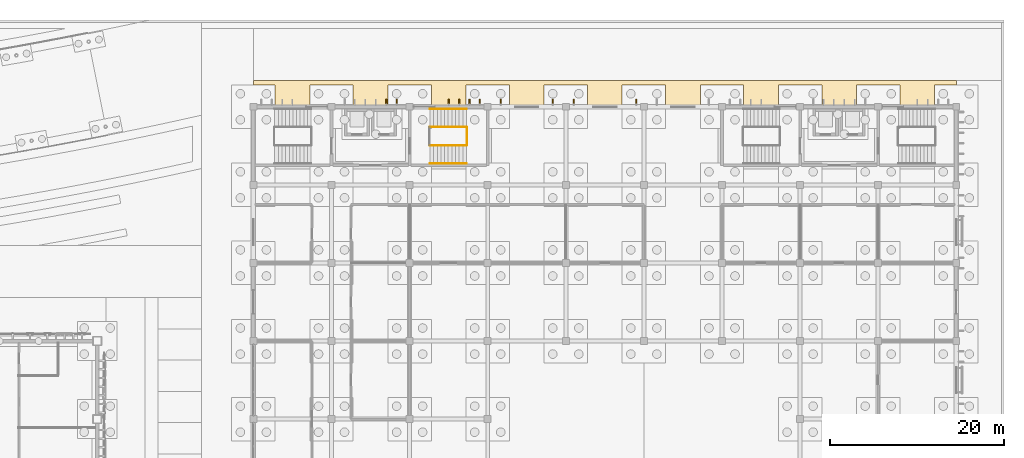
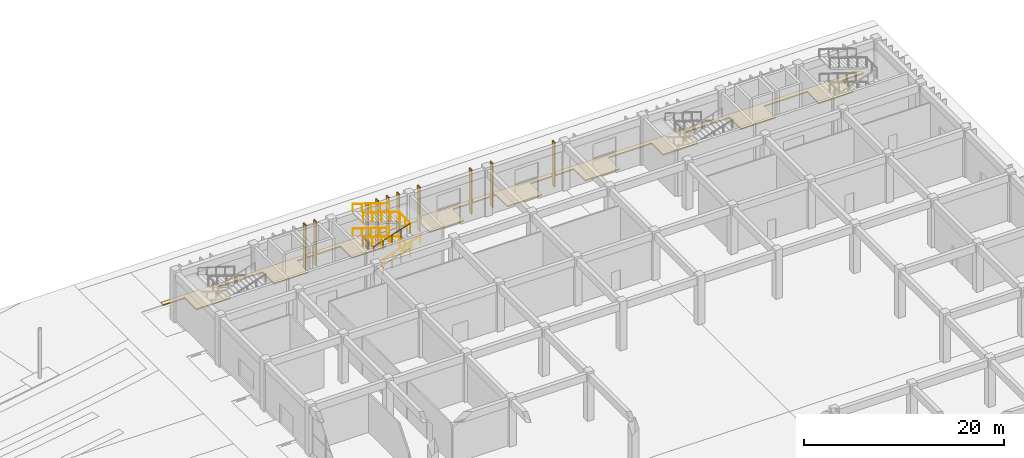
# One storey, part 193 of 198: 11 coverings, 9 railings.
"""IFC4 building model written with IfcOpenShell, lengths in metres."""

import ifcopenshell
import ifcopenshell.guid

model = None  # the IFC model being written
_history = None  # IfcOwnerHistory: only IFC2X3 demands one
_inside = {}  # id of a spatial element -> (the spatial element, [elements in it])
_under = {}  # id of a project, library or spatial element -> (it, [spatial elements below it])
_declared = {}  # id of a project -> (the project, [libraries it declares])
_typed = {}  # id of a type object -> (the type object, [elements of that type])
_made_of = {}  # id of a material, layer set ... -> (it, [elements and type objects made of it])


def new_model(schema):
    """Start an empty IFC model of exactly this schema.

    Asked for "IFC4X3", IfcOpenShell would pick the latest addendum, in which some entities
    have other attributes; the version numbers below select the first issue.
    IFC2X3 requires an IfcOwnerHistory on every rooted entity: one is made here for all.
    """
    global model, _history
    if schema == "IFC4X3":
        model = ifcopenshell.file(schema_version=(4, 3, 0, 0))
    else:
        model = ifcopenshell.file(schema=schema)
    _inside.clear()
    _under.clear()
    _declared.clear()
    _typed.clear()
    _made_of.clear()
    _history = None
    if model.schema == "IFC2X3":
        org = make("IfcOrganization", Name="unknown")
        user = make(
            "IfcPersonAndOrganization",
            ThePerson=make("IfcPerson", FamilyName="unknown"),
            TheOrganization=org,
        )
        app = make(
            "IfcApplication",
            ApplicationDeveloper=org,
            Version="unknown",
            ApplicationFullName="unknown",
            ApplicationIdentifier="unknown",
        )
        _history = make(
            "IfcOwnerHistory",
            OwningUser=user,
            OwningApplication=app,
            ChangeAction="ADDED",
            CreationDate=0,
        )
    return model


def make(cls, **values):
    """One entity of the class cls with the attributes given. An attribute that is None is left unset."""
    return model.create_entity(
        cls, **{name: value for name, value in values.items() if value is not None}
    )


def rooted(cls, **values):
    """An entity with a GlobalId (a new one), such as an element, a storey or a relation."""
    return make(cls, GlobalId=ifcopenshell.guid.new(), OwnerHistory=_history, **values)


def si_unit(unit_type, name, prefix=None):
    """IfcSIUnit, for example si_unit("LENGTHUNIT", "METRE", prefix="MILLI")."""
    return make("IfcSIUnit", UnitType=unit_type, Prefix=prefix, Name=name)


def assignment(units):
    """IfcUnitAssignment: the units of a project."""
    return None if units is None else make("IfcUnitAssignment", Units=units)


def point(xyz):
    """IfcCartesianPoint."""
    return None if xyz is None else make("IfcCartesianPoint", Coordinates=xyz)


def direction(xyz):
    """IfcDirection."""
    return None if xyz is None else make("IfcDirection", DirectionRatios=xyz)


def frame(location, z_axis=None, x_axis=None):
    """IfcAxis2Placement3D, a coordinate frame: its origin and axes. An axis left out is left unset."""
    return make(
        "IfcAxis2Placement3D",
        Location=point(location),
        Axis=direction(z_axis),
        RefDirection=direction(x_axis),
    )


def frame_2d(location, x_axis=None):
    """IfcAxis2Placement2D, a coordinate frame in the plane: its origin and x axis."""
    return make(
        "IfcAxis2Placement2D", Location=point(location), RefDirection=direction(x_axis)
    )


def origin():
    """The frame at (0, 0, 0) with its axes left unset."""
    return frame((0.0, 0.0, 0.0))


def origin_2d():
    """The frame at (0, 0) in the plane with its x axis left unset."""
    return frame_2d((0.0, 0.0))


def place(relative_to, where):
    """IfcLocalPlacement: puts the frame where relative to a parent placement (None: the world)."""
    return make(
        "IfcLocalPlacement", PlacementRelTo=relative_to, RelativePlacement=where
    )


def context(
    kind, dimensions, precision=None, world=None, true_north=None, identifier=None
):
    """IfcGeometricRepresentationContext, for example the 3D "Model" context."""
    return make(
        "IfcGeometricRepresentationContext",
        ContextIdentifier=identifier,
        ContextType=kind,
        CoordinateSpaceDimension=dimensions,
        Precision=precision,
        WorldCoordinateSystem=world,
        TrueNorth=true_north,
    )


def subcontext(parent, identifier, kind, view, scale=None):
    """IfcGeometricRepresentationSubContext, for example "Body" below "Model"."""
    return make(
        "IfcGeometricRepresentationSubContext",
        ContextIdentifier=identifier,
        ContextType=kind,
        ParentContext=parent,
        TargetScale=scale,
        TargetView=view,
    )


def project(units=None, contexts=None):
    """IfcProject with its units and contexts."""
    return rooted(
        "IfcProject",
        Name="project",
        RepresentationContexts=contexts,
        UnitsInContext=assignment(units),
    )


def spatial(cls, under=None, at=None, **own):
    """A site, building, storey or space (cls), placed at a placement, below another one or the project."""
    s = rooted(cls, ObjectPlacement=at, **own)
    if under is not None:
        _under.setdefault(under.id(), (under, []))[1].append(s)
    return s


def polyline(points):
    """IfcPolyline through the points."""
    return make("IfcPolyline", Points=[point(p) for p in points])


def profile(cls, at=None, kind="AREA", **sizes):
    """A parametric profile (cls). Its sizes go by their IFC names, for example OverallWidth=200.0."""
    return make(cls, ProfileType=kind, Position=at, **sizes)


def rectangle(**sizes):
    """IfcRectangleProfileDef."""
    return profile("IfcRectangleProfileDef", **sizes)


def circle(**sizes):
    """IfcCircleProfileDef."""
    return profile("IfcCircleProfileDef", **sizes)


def outline(outer, holes=None, kind="AREA"):
    """IfcArbitraryClosedProfileDef: a profile drawn as a closed curve; with holes, ...WithVoids."""
    if holes is None:
        return make("IfcArbitraryClosedProfileDef", ProfileType=kind, OuterCurve=outer)
    return make(
        "IfcArbitraryProfileDefWithVoids",
        ProfileType=kind,
        OuterCurve=outer,
        InnerCurves=holes,
    )


def extrude(swept, where, along, depth):
    """IfcExtrudedAreaSolid: the profile swept, set in the frame where, extruded along a direction by depth."""
    return make(
        "IfcExtrudedAreaSolid",
        SweptArea=swept,
        Position=where,
        ExtrudedDirection=direction(along),
        Depth=depth,
    )


def shape(context_of_items, identifier, shape_type, items):
    """IfcShapeRepresentation: the items that make up one representation, for example the "Body"."""
    return make(
        "IfcShapeRepresentation",
        ContextOfItems=context_of_items,
        RepresentationIdentifier=identifier,
        RepresentationType=shape_type,
        Items=items,
    )


def material(Name=None, Category=None):
    """IfcMaterial."""
    return make("IfcMaterial", Name=Name, Category=Category)


def layer(
    of_material, thickness, ventilated=None, Name=None, Category=None, Priority=None
):
    """IfcMaterialLayer: one layer of a wall or slab, of a material (None: an air gap)."""
    return make(
        "IfcMaterialLayer",
        Material=of_material,
        LayerThickness=thickness,
        IsVentilated=ventilated,
        Name=Name,
        Category=Category,
        Priority=Priority,
    )


def layer_set(layers, Name=None):
    """IfcMaterialLayerSet."""
    return make("IfcMaterialLayerSet", MaterialLayers=layers, LayerSetName=Name)


def constituent(of_material, Name=None, Category=None, fraction=None):
    """IfcMaterialConstituent: one of the materials an element consists of."""
    return make(
        "IfcMaterialConstituent",
        Name=Name,
        Material=of_material,
        Fraction=fraction,
        Category=Category,
    )


def constituent_set(constituents=None, Name=None):
    """IfcMaterialConstituentSet."""
    return make(
        "IfcMaterialConstituentSet", Name=Name, MaterialConstituents=constituents
    )


def made_of(thing, what):
    """Note that an element or type object is made of a material, layer set ...; save() writes the relation."""
    if what is not None:
        _made_of.setdefault(what.id(), (what, []))[1].append(thing)
    return thing


def type_object(cls, material=None, **own):
    """A type object (cls), such as IfcWallType, which elements share."""
    return made_of(rooted(cls, **own), material)


def element(
    cls,
    number,
    at=None,
    inside=None,
    cuts=None,
    type_object=None,
    material=None,
    context=None,
    identifier="Body",
    shape_type=None,
    held_by="IfcProductDefinitionShape",
    body=None,
    shapes=None,
    **own,
):
    """One element of the class cls, such as IfcWall. Its Tag is "e" and its number.

    at: its placement. inside: the storey or other place that contains it. cuts: it is an
    opening in that element (IfcRelVoidsElement). A single representation is given by context,
    identifier, shape_type and body (its items); several are given by shapes. held_by: the class
    of the entity that holds the representations. save() writes the other relations.
    """
    e = rooted(cls, Tag="e%d" % number, ObjectPlacement=at, **own)
    if body is not None:
        shapes = [shape(context, identifier, shape_type, body)]
    if shapes is not None:
        e.Representation = make(held_by, Representations=shapes)
    if inside is not None:
        _inside.setdefault(inside.id(), (inside, []))[1].append(e)
    if cuts is not None:
        rooted(
            "IfcRelVoidsElement", RelatingBuildingElement=cuts, RelatedOpeningElement=e
        )
    if type_object is not None:
        _typed.setdefault(type_object.id(), (type_object, []))[1].append(e)
    return made_of(e, material)


def aggregate(whole, parts):
    """IfcRelAggregates: a whole, such as a stair, and the parts it consists of."""
    return rooted("IfcRelAggregates", RelatingObject=whole, RelatedObjects=parts)


def save(model, path):
    """Write the relations noted so far, then the file.

    IfcRelAggregates (storeys below a building ...), IfcRelContainedInSpatialStructure (elements
    in a storey), IfcRelDefinesByType, IfcRelAssociatesMaterial and IfcRelDeclares: one each for
    every whole, place, type object, material and project.
    """
    for whole, parts in _under.values():
        aggregate(whole, parts)
    for where, things in _inside.values():
        rooted(
            "IfcRelContainedInSpatialStructure",
            RelatedElements=things,
            RelatingStructure=where,
        )
    for kind, things in _typed.values():
        rooted("IfcRelDefinesByType", RelatedObjects=things, RelatingType=kind)
    for what, things in _made_of.values():
        rooted("IfcRelAssociatesMaterial", RelatedObjects=things, RelatingMaterial=what)
    for by, libraries in _declared.values():
        rooted("IfcRelDeclares", RelatingContext=by, RelatedDefinitions=libraries)
    model.write(path)


model = new_model("IFC4")

# Units and contexts
model_context = context("Model", 3, precision=1e-05, world=origin(), true_north=direction((0.0, 1.0)))
body_context = subcontext(model_context, "Body", "Model", "MODEL_VIEW")
ifc_project = project(units=[si_unit("LENGTHUNIT", "METRE"), si_unit("AREAUNIT", "SQUARE_METRE"), si_unit("VOLUMEUNIT", "CUBIC_METRE"), si_unit("PLANEANGLEUNIT", "RADIAN"), si_unit("MASSUNIT", "GRAM", prefix="KILO")], contexts=[model_context])

# Site, building, storey
site_placement = place(None, origin())
site = spatial("IfcSite", under=ifc_project, at=site_placement, CompositionType="ELEMENT")
building_placement = place(site_placement, origin())
building = spatial("IfcBuilding", under=site, at=building_placement, Name="Opaline Strait Convention Centre", CompositionType="ELEMENT")
storey_placement = place(building_placement, origin())
storey = spatial("IfcBuildingStorey", under=building, at=storey_placement, Name="L00", CompositionType="ELEMENT", Elevation=0.0)

# Railings
ifc_material_1 = material(Name="Steel Q235B", Category="steel")
ifc_constituent_1 = constituent(ifc_material_1, Name="Frame")
ifc_material_2 = material(Name="Safety glass, bonded interlayer", Category="glass")
ifc_constituent_2 = constituent(ifc_material_2, Name="Infill")
ifc_constituent_set = constituent_set(constituents=[ifc_constituent_1, ifc_constituent_2], Name="Steel Q235B, Safety glass, bonded interlayer")
railing_type_1 = type_object("IfcRailingType", Name="Guard 1100 steel and glass", PredefinedType="GUARDRAIL", material=ifc_constituent_set)
railing_1_placement = place(storey_placement, frame((299.349853515625, 175.5498046875, 0.136474609375)))
element("IfcRailing", 1, at=railing_1_placement, inside=storey, type_object=railing_type_1, Name="L00 S6 stair guard 1", PredefinedType="GUARDRAIL", context=body_context, shape_type="SweptSolid", body=[
    extrude(circle(Radius=0.02392578125, at=origin_2d()), frame((0.0, 0.0, 1.076171875), z_axis=(0.951131128591, 0.0, 0.308787266941), x_axis=(0.0, 1.0, 0.0)), (0.0, 0.0, 1.0), 4.415771484375),
    extrude(circle(Radius=0.02099609375, at=origin_2d()), origin(), (0.0, 0.0, 1.0), 1.052001953125),
    extrude(circle(Radius=0.02099609375, at=origin_2d()), frame((1.050048828125, 0.0, 0.3408203125)), (0.0, 0.0, 1.0), 1.052001953125),
    extrude(circle(Radius=0.02099609375, at=origin_2d()), frame((2.10009765625, 0.0, 0.681640625)), (0.0, 0.0, 1.0), 1.052001953125),
    extrude(circle(Radius=0.02099609375, at=origin_2d()), frame((3.14990234375, 0.0, 1.022705078125)), (0.0, 0.0, 1.0), 1.052001953125),
    extrude(circle(Radius=0.02099609375, at=origin_2d()), frame((4.199951171875, 0.0, 1.363525390625)), (0.0, 0.0, 1.0), 1.052001953125),
])
railing_2_placement = place(storey_placement, frame((303.599853515625, 175.599853515625, 1.5)))
element("IfcRailing", 2, at=railing_2_placement, inside=storey, type_object=railing_type_1, Name="L00 S6 stair guard 2", PredefinedType="GUARDRAIL", context=body_context, shape_type="SweptSolid", body=[
    extrude(circle(Radius=0.02392578125, at=origin_2d()), frame((0.0, 0.0, 1.076171875), z_axis=(0.0, 1.0, 0.0), x_axis=(-1.0, 0.0, 0.0)), (0.0, 0.0, 1.0), 2.0),
    extrude(circle(Radius=0.02099609375, at=origin_2d()), origin(), (0.0, 0.0, 1.0), 1.052001953125),
    extrude(circle(Radius=0.02099609375, at=origin_2d()), frame((0.0, 1.0, 0.0)), (0.0, 0.0, 1.0), 1.052001953125),
    extrude(circle(Radius=0.02099609375, at=origin_2d()), frame((0.0, 2.0, 0.0)), (0.0, 0.0, 1.0), 1.052001953125),
])
railing_3_placement = place(storey_placement, frame((303.5498046875, 177.64990234375, 1.636474609375)))
element("IfcRailing", 3, at=railing_3_placement, inside=storey, type_object=railing_type_1, Name="L00 S6 stair guard 3", PredefinedType="GUARDRAIL", context=body_context, shape_type="SweptSolid", body=[
    extrude(circle(Radius=0.02392578125, at=origin_2d()), frame((0.0, 0.0, 1.076171875), z_axis=(-0.951131128591, 0.0, 0.308787266941), x_axis=(0.0, -1.0, 0.0)), (0.0, 0.0, 1.0), 4.415771484375),
    extrude(circle(Radius=0.02099609375, at=origin_2d()), origin(), (0.0, 0.0, 1.0), 1.052001953125),
    extrude(circle(Radius=0.02099609375, at=origin_2d()), frame((-1.050048828125, 0.0, 0.3408203125)), (0.0, 0.0, 1.0), 1.052001953125),
    extrude(circle(Radius=0.02099609375, at=origin_2d()), frame((-2.10009765625, 0.0, 0.681640625)), (0.0, 0.0, 1.0), 1.052001953125),
    extrude(circle(Radius=0.02099609375, at=origin_2d()), frame((-3.14990234375, 0.0, 1.022705078125)), (0.0, 0.0, 1.0), 1.052001953125),
    extrude(circle(Radius=0.02099609375, at=origin_2d()), frame((-4.199951171875, 0.0, 1.363525390625)), (0.0, 0.0, 1.0), 1.052001953125),
])
railing_4_placement = place(storey_placement, frame((299.349853515625, 175.5498046875, 3.136474609375)))
element("IfcRailing", 4, at=railing_4_placement, inside=storey, type_object=railing_type_1, Name="L00 S6 stair guard 5", PredefinedType="GUARDRAIL", context=body_context, shape_type="SweptSolid", body=[
    extrude(circle(Radius=0.02392578125, at=origin_2d()), frame((0.0, 0.0, 1.076171875), z_axis=(0.951131128591, 0.0, 0.308787266941), x_axis=(0.0, 1.0, 0.0)), (0.0, 0.0, 1.0), 4.415771484375),
    extrude(circle(Radius=0.02099609375, at=origin_2d()), origin(), (0.0, 0.0, 1.0), 1.052001953125),
    extrude(circle(Radius=0.02099609375, at=origin_2d()), frame((1.050048828125, 0.0, 0.3408203125)), (0.0, 0.0, 1.0), 1.052001953125),
    extrude(circle(Radius=0.02099609375, at=origin_2d()), frame((2.10009765625, 0.0, 0.681640625)), (0.0, 0.0, 1.0), 1.052001953125),
    extrude(circle(Radius=0.02099609375, at=origin_2d()), frame((3.14990234375, 0.0, 1.022705078125)), (0.0, 0.0, 1.0), 1.052001953125),
    extrude(circle(Radius=0.02099609375, at=origin_2d()), frame((4.199951171875, 0.0, 1.363525390625)), (0.0, 0.0, 1.0), 1.052001953125),
])
railing_5_placement = place(storey_placement, frame((303.599853515625, 175.599853515625, 4.5)))
element("IfcRailing", 5, at=railing_5_placement, inside=storey, type_object=railing_type_1, Name="L00 S6 stair guard 6", PredefinedType="GUARDRAIL", context=body_context, shape_type="SweptSolid", body=[
    extrude(circle(Radius=0.02392578125, at=origin_2d()), frame((0.0, 0.0, 1.076171875), z_axis=(0.0, 1.0, 0.0), x_axis=(-1.0, 0.0, 0.0)), (0.0, 0.0, 1.0), 2.0),
    extrude(circle(Radius=0.02099609375, at=origin_2d()), origin(), (0.0, 0.0, 1.0), 1.052001953125),
    extrude(circle(Radius=0.02099609375, at=origin_2d()), frame((0.0, 1.0, 0.0)), (0.0, 0.0, 1.0), 1.052001953125),
    extrude(circle(Radius=0.02099609375, at=origin_2d()), frame((0.0, 2.0, 0.0)), (0.0, 0.0, 1.0), 1.052001953125),
])
railing_6_placement = place(storey_placement, frame((303.5498046875, 177.64990234375, 4.636474609375)))
element("IfcRailing", 6, at=railing_6_placement, inside=storey, type_object=railing_type_1, Name="L00 S6 stair guard 7", PredefinedType="GUARDRAIL", context=body_context, shape_type="SweptSolid", body=[
    extrude(circle(Radius=0.02392578125, at=origin_2d()), frame((0.0, 0.0, 1.076171875), z_axis=(-0.951131128591, 0.0, 0.308787266941), x_axis=(0.0, -1.0, 0.0)), (0.0, 0.0, 1.0), 4.415771484375),
    extrude(circle(Radius=0.02099609375, at=origin_2d()), origin(), (0.0, 0.0, 1.0), 1.052001953125),
    extrude(circle(Radius=0.02099609375, at=origin_2d()), frame((-1.050048828125, 0.0, 0.3408203125)), (0.0, 0.0, 1.0), 1.052001953125),
    extrude(circle(Radius=0.02099609375, at=origin_2d()), frame((-2.10009765625, 0.0, 0.681640625)), (0.0, 0.0, 1.0), 1.052001953125),
    extrude(circle(Radius=0.02099609375, at=origin_2d()), frame((-3.14990234375, 0.0, 1.022705078125)), (0.0, 0.0, 1.0), 1.052001953125),
    extrude(circle(Radius=0.02099609375, at=origin_2d()), frame((-4.199951171875, 0.0, 1.363525390625)), (0.0, 0.0, 1.0), 1.052001953125),
])

# Covering
ifc_material_3 = material(Name="Concrete C30 exposed aggregate", Category="concrete")
ifc_layer_1 = layer(ifc_material_3, 0.14990234375)
ifc_layer_set_1 = layer_set([ifc_layer_1], Name="Concrete C30 exposed aggregate")
covering_type_1 = type_object("IfcCoveringType", Name="Site paving 150", PredefinedType="FLOORING", material=ifc_layer_set_1)
covering_placement = place(storey_placement, frame((0.0, 0.0, -0.14990234375)))
element("IfcCovering", 7, at=covering_placement, inside=storey, type_object=covering_type_1, Name="Site paving surfacing", PredefinedType="FLOORING", context=body_context, shape_type="SweptSolid", body=[
    extrude(outline(polyline([(360.0, 183.0), (279.0, 183.0), (279.0, 182.5048828125), (281.5048828125, 182.5048828125), (281.5048828125, 180.205078125), (285.4951171875, 180.205078125), (285.4951171875, 182.5048828125), (290.5048828125, 182.5048828125), (290.5048828125, 180.205078125), (294.4951171875, 180.205078125), (294.4951171875, 182.5048828125), (299.5048828125, 182.5048828125), (299.5048828125, 180.205078125), (303.4951171875, 180.205078125), (303.4951171875, 182.5048828125), (308.5048828125, 182.5048828125), (308.5048828125, 180.205078125), (312.4951171875, 180.205078125), (312.4951171875, 182.5048828125), (317.5048828125, 182.5048828125), (317.5048828125, 180.205078125), (321.4951171875, 180.205078125), (321.4951171875, 182.5048828125), (326.5048828125, 182.5048828125), (326.5048828125, 180.205078125), (330.4951171875, 180.205078125), (330.4951171875, 182.5048828125), (335.5048828125, 182.5048828125), (335.5048828125, 180.205078125), (339.4951171875, 180.205078125), (339.4951171875, 182.5048828125), (344.5048828125, 182.5048828125), (344.5048828125, 180.205078125), (348.4951171875, 180.205078125), (348.4951171875, 182.5048828125), (353.5048828125, 182.5048828125), (353.5048828125, 180.205078125), (357.4951171875, 180.205078125), (357.4951171875, 182.5048828125), (360.0, 182.5048828125), (360.0, 183.0)])), origin(), (0.0, 0.0, 1.0), 0.14990234375),
])

# Railings
ifc_material_4 = material(Name="Stainless steel 304", Category="steel")
railing_type_2 = type_object("IfcRailingType", Name="Stair handrail 900 stainless steel", PredefinedType="HANDRAIL", material=ifc_material_4)
railing_7_placement = place(storey_placement, frame((303.5498046875, 179.75, 1.636474609375)))
element("IfcRailing", 8, at=railing_7_placement, inside=storey, type_object=railing_type_2, Name="L00 S6 stair handrail 2", PredefinedType="HANDRAIL", context=body_context, shape_type="SweptSolid", body=[
    extrude(circle(Radius=0.02392578125, at=origin_2d()), frame((0.0, 0.0, 0.8759765625), z_axis=(-0.951131128591, 0.0, 0.308787266941), x_axis=(0.0, -1.0, 0.0)), (0.0, 0.0, 1.0), 4.415771484375),
    extrude(circle(Radius=0.02099609375, at=origin_2d()), origin(), (0.0, 0.0, 1.0), 0.851806640625),
    extrude(circle(Radius=0.02099609375, at=origin_2d()), frame((-1.050048828125, 0.0, 0.3408203125)), (0.0, 0.0, 1.0), 0.851806640625),
    extrude(circle(Radius=0.02099609375, at=origin_2d()), frame((-2.10009765625, 0.0, 0.681640625)), (0.0, 0.0, 1.0), 0.851806640625),
    extrude(circle(Radius=0.02099609375, at=origin_2d()), frame((-3.14990234375, 0.0, 1.022705078125)), (0.0, 0.0, 1.0), 0.851806640625),
    extrude(circle(Radius=0.02099609375, at=origin_2d()), frame((-4.199951171875, 0.0, 1.363525390625)), (0.0, 0.0, 1.0), 0.851806640625),
])
railing_8_placement = place(storey_placement, frame((299.349853515625, 173.449951171875, 3.136474609375)))
element("IfcRailing", 9, at=railing_8_placement, inside=storey, type_object=railing_type_2, Name="L00 S6 stair handrail 3", PredefinedType="HANDRAIL", context=body_context, shape_type="SweptSolid", body=[
    extrude(circle(Radius=0.02392578125, at=origin_2d()), frame((0.0, 0.0, 0.8759765625), z_axis=(0.951131128591, 0.0, 0.308787266941), x_axis=(0.0, 1.0, 0.0)), (0.0, 0.0, 1.0), 4.415771484375),
    extrude(circle(Radius=0.02099609375, at=origin_2d()), origin(), (0.0, 0.0, 1.0), 0.851806640625),
    extrude(circle(Radius=0.02099609375, at=origin_2d()), frame((1.050048828125, 0.0, 0.3408203125)), (0.0, 0.0, 1.0), 0.851806640625),
    extrude(circle(Radius=0.02099609375, at=origin_2d()), frame((2.10009765625, 0.0, 0.681640625)), (0.0, 0.0, 1.0), 0.851806640625),
    extrude(circle(Radius=0.02099609375, at=origin_2d()), frame((3.14990234375, 0.0, 1.022705078125)), (0.0, 0.0, 1.0), 0.851806640625),
    extrude(circle(Radius=0.02099609375, at=origin_2d()), frame((4.199951171875, 0.0, 1.363525390625)), (0.0, 0.0, 1.0), 0.851806640625),
])
railing_9_placement = place(storey_placement, frame((303.5498046875, 179.75, 4.636474609375)))
element("IfcRailing", 10, at=railing_9_placement, inside=storey, type_object=railing_type_2, Name="L00 S6 stair handrail 4", PredefinedType="HANDRAIL", context=body_context, shape_type="SweptSolid", body=[
    extrude(circle(Radius=0.02392578125, at=origin_2d()), frame((0.0, 0.0, 0.8759765625), z_axis=(-0.951131128591, 0.0, 0.308787266941), x_axis=(0.0, -1.0, 0.0)), (0.0, 0.0, 1.0), 4.415771484375),
    extrude(circle(Radius=0.02099609375, at=origin_2d()), origin(), (0.0, 0.0, 1.0), 0.851806640625),
    extrude(circle(Radius=0.02099609375, at=origin_2d()), frame((-1.050048828125, 0.0, 0.3408203125)), (0.0, 0.0, 1.0), 0.851806640625),
    extrude(circle(Radius=0.02099609375, at=origin_2d()), frame((-2.10009765625, 0.0, 0.681640625)), (0.0, 0.0, 1.0), 0.851806640625),
    extrude(circle(Radius=0.02099609375, at=origin_2d()), frame((-3.14990234375, 0.0, 1.022705078125)), (0.0, 0.0, 1.0), 0.851806640625),
    extrude(circle(Radius=0.02099609375, at=origin_2d()), frame((-4.199951171875, 0.0, 1.363525390625)), (0.0, 0.0, 1.0), 0.851806640625),
])

# Coverings
ifc_material_5 = material(Name="Aluminium alloy 6063-T5", Category="aluminium")
ifc_layer_2 = layer(ifc_material_5, 0.1201171875)
ifc_layer_set_2 = layer_set([ifc_layer_2], Name="Aluminium alloy 6063-T5")
covering_type_2 = type_object("IfcCoveringType", Name="Storm louvre fin 120 x 500 aluminium", PredefinedType="CLADDING", material=ifc_layer_set_2)
for number, where, z_axis, x_axis, name in (
    (11, (294.300048828125, 180.60009765625, 0.25), (0.0, 0.0, 1.0), (1.0, 0.0, 0.0), "Storm louvre fin N L00"),
    (12, (295.5, 180.60009765625, 0.25), (0.0, 0.0, 1.0), (1.0, 0.0, 0.0), "Storm louvre fin N L00"),
    (13, (301.5, 180.60009765625, 0.25), (0.0, 0.0, 1.0), (1.0, 0.0, 0.0), "Storm louvre fin N L00"),
    (14, (302.699951171875, 180.60009765625, 0.25), (0.0, 0.0, 1.0), (1.0, 0.0, 0.0), "Storm louvre fin N L00"),
    (15, (303.89990234375, 180.60009765625, 0.25), (0.0, 0.0, 1.0), (1.0, 0.0, 0.0), "Storm louvre fin N L00"),
    (16, (305.10009765625, 180.60009765625, 0.25), (0.0, 0.0, 1.0), (1.0, 0.0, 0.0), "Storm louvre fin N L00"),
    (17, (307.5, 180.60009765625, 0.25), (0.0, 0.0, 1.0), (1.0, 0.0, 0.0), "Storm louvre fin N L00"),
    (18, (313.5, 180.60009765625, 0.25), (0.0, 0.0, 1.0), (1.0, 0.0, 0.0), "Storm louvre fin N L00"),
    (19, (315.89990234375, 180.60009765625, 0.25), (0.0, 0.0, 1.0), (1.0, 0.0, 0.0), "Storm louvre fin N L00"),
    (20, (323.10009765625, 180.60009765625, 0.25), (0.0, 0.0, 1.0), (1.0, 0.0, 0.0), "Storm louvre fin N L00"),
):
    element("IfcCovering", number, at=place(storey_placement, frame(where, z_axis=z_axis, x_axis=x_axis)), inside=storey, type_object=covering_type_2, Name=name, PredefinedType="CLADDING", context=body_context, shape_type="SweptSolid", body=[
        extrude(rectangle(XDim=0.1201171875, YDim=0.5, at=origin_2d()), origin(), (0.0, 0.0, 1.0), 5.449951171875),
    ])

save(model, "model.ifc")
